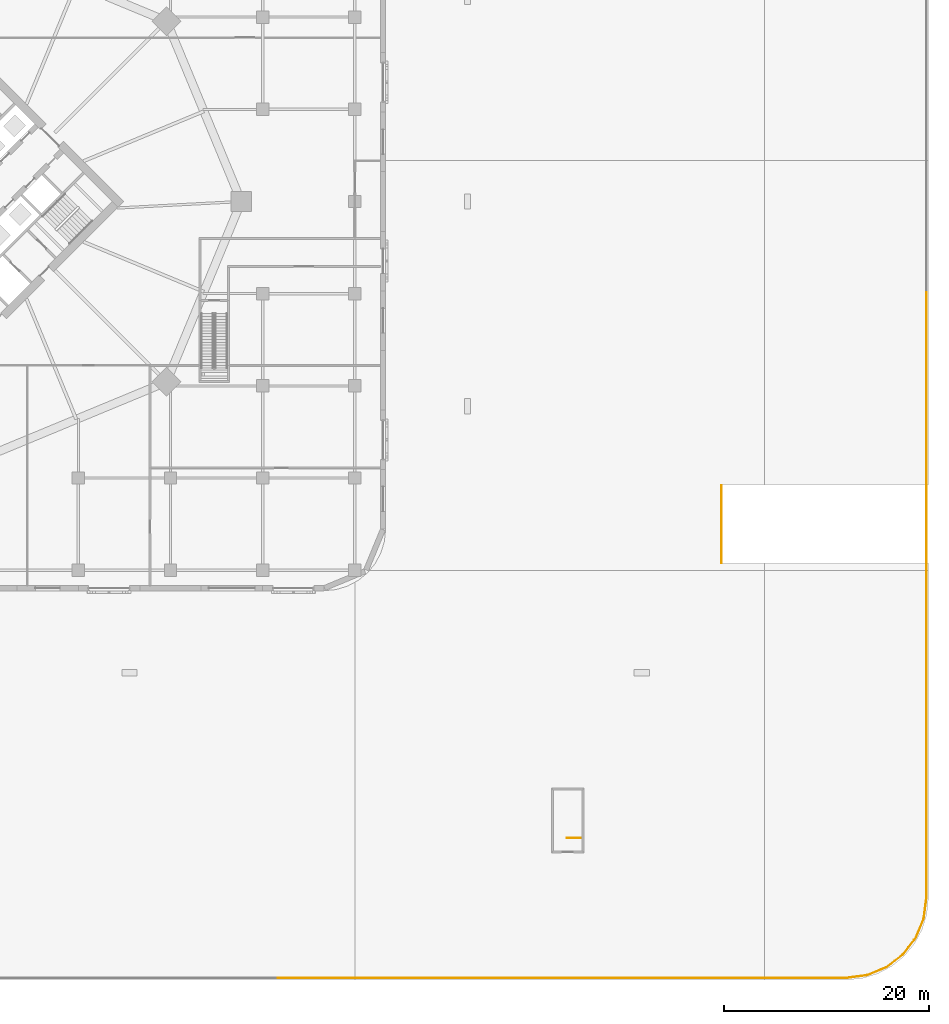
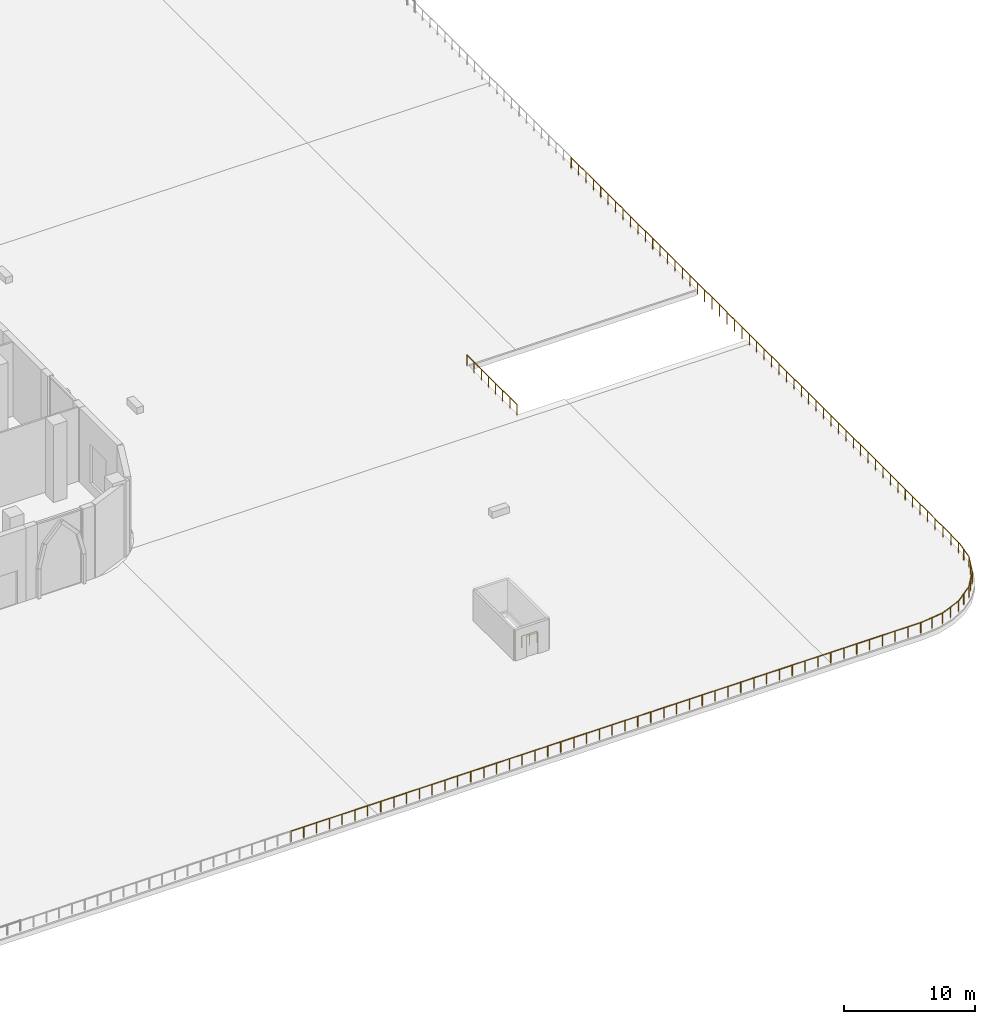
# One storey, part 41 of 48: 18 railings.
"""IFC4 building model written with IfcOpenShell, lengths in metres."""

from ifc_helpers import new_model, si_unit, direction, frame, origin, origin_2d, place, context, subcontext, project, spatial, circle, extrude, material, type_object, element, save


model = new_model("IFC4")

# Units and contexts
model_context = context("Model", 3, precision=1e-05, world=origin(), true_north=direction((0.0, 1.0)))
body_context = subcontext(model_context, "Body", "Model", "MODEL_VIEW")
ifc_project = project(units=[si_unit("LENGTHUNIT", "METRE"), si_unit("AREAUNIT", "SQUARE_METRE"), si_unit("VOLUMEUNIT", "CUBIC_METRE"), si_unit("PLANEANGLEUNIT", "RADIAN"), si_unit("MASSUNIT", "GRAM", prefix="KILO")], contexts=[model_context])

# Site, building, storey
site_placement = place(None, origin())
site = spatial("IfcSite", under=ifc_project, at=site_placement, CompositionType="ELEMENT")
building_placement = place(site_placement, origin())
building = spatial("IfcBuilding", under=site, at=building_placement, Name="Ogive Gate Towers", CompositionType="ELEMENT")
storey_placement = place(building_placement, origin())
storey = spatial("IfcBuildingStorey", under=building, at=storey_placement, Name="L00", CompositionType="ELEMENT", Elevation=0.0)

# Railings
ifc_material_1 = material(Name="Painted steel", Category="steel")
railing_type_1 = type_object("IfcRailingType", Name="Car park guard 1100", PredefinedType="GUARDRAIL", material=ifc_material_1)
railing_1_placement = place(storey_placement, frame((107.77490234375, -35.300048828125, 0.0)))
element("IfcRailing", 1, at=railing_1_placement, inside=storey, type_object=railing_type_1, Name="Ramp opening guard 01", PredefinedType="GUARDRAIL", context=body_context, shape_type="SweptSolid", body=[
    extrude(circle(Radius=0.02392578125, at=origin_2d()), frame((0.0, 0.0, 1.076171875), z_axis=(0.0, 1.0, 0.0), x_axis=(-1.0, 0.0, 0.0)), (0.0, 0.0, 1.0), 7.60009765625),
    extrude(circle(Radius=0.02099609375, at=origin_2d()), origin(), (0.0, 0.0, 1.0), 1.052001953125),
    extrude(circle(Radius=0.02099609375, at=origin_2d()), frame((0.0, 1.085693359375, 0.0)), (0.0, 0.0, 1.0), 1.052001953125),
    extrude(circle(Radius=0.02099609375, at=origin_2d()), frame((0.0, 2.17138671875, 0.0)), (0.0, 0.0, 1.0), 1.052001953125),
    extrude(circle(Radius=0.02099609375, at=origin_2d()), frame((0.0, 3.257080078125, 0.0)), (0.0, 0.0, 1.0), 1.052001953125),
    extrude(circle(Radius=0.02099609375, at=origin_2d()), frame((0.0, 4.343017578125, 0.0)), (0.0, 0.0, 1.0), 1.052001953125),
    extrude(circle(Radius=0.02099609375, at=origin_2d()), frame((0.0, 5.4287109375, 0.0)), (0.0, 0.0, 1.0), 1.052001953125),
    extrude(circle(Radius=0.02099609375, at=origin_2d()), frame((0.0, 6.514404296875, 0.0)), (0.0, 0.0, 1.0), 1.052001953125),
    extrude(circle(Radius=0.02099609375, at=origin_2d()), frame((0.0, 7.60009765625, 0.0)), (0.0, 0.0, 1.0), 1.052001953125),
])
railing_type_2 = type_object("IfcRailingType", Name="Car park stair guard 1100", PredefinedType="GUARDRAIL", material=ifc_material_1)
railing_2_placement = place(storey_placement, frame((94.050048828125, -62.14990234375, 0.0)))
element("IfcRailing", 2, at=railing_2_placement, inside=storey, type_object=railing_type_2, Name="L00 CS8 top well guard 1", PredefinedType="GUARDRAIL", context=body_context, shape_type="SweptSolid", body=[
    extrude(circle(Radius=0.02392578125, at=origin_2d()), frame((0.0, 0.0, 1.076171875), z_axis=(-1.0, 0.0, 0.0), x_axis=(0.0, -1.0, 0.0)), (0.0, 0.0, 1.0), 1.35009765625),
    extrude(circle(Radius=0.02099609375, at=origin_2d()), origin(), (0.0, 0.0, 1.0), 1.052001953125),
    extrude(circle(Radius=0.02099609375, at=origin_2d()), frame((-0.675048828125, 0.0, 0.0)), (0.0, 0.0, 1.0), 1.052001953125),
    extrude(circle(Radius=0.02099609375, at=origin_2d()), frame((-1.35009765625, 0.0, 0.0)), (0.0, 0.0, 1.0), 1.052001953125),
])
ifc_material_2 = material(Name="Stainless steel", Category="steel")
railing_type_3 = type_object("IfcRailingType", Name="Guard 1100", PredefinedType="GUARDRAIL", material=ifc_material_2)
railing_3_placement = place(storey_placement, frame((120.0, -75.800048828125, 0.0)))
element("IfcRailing", 3, at=railing_3_placement, inside=storey, type_object=railing_type_3, Name="Garden deck guard", PredefinedType="GUARDRAIL", context=body_context, shape_type="SweptSolid", body=[
    extrude(circle(Radius=0.02392578125, at=origin_2d()), frame((0.0, 0.0, 1.076171875), z_axis=(0.991439189385, 0.130569268018, 0.0), x_axis=(-0.130569268018, 0.991439189385, 0.0)), (0.0, 0.0, 1.0), 2.0361328125),
    extrude(circle(Radius=0.02392578125, at=origin_2d()), frame((2.018798828125, 0.265869140625, 1.076171875), z_axis=(0.923858991979, 0.382733017832, 0.0), x_axis=(-0.382733017832, 0.923858991979, 0.0)), (0.0, 0.0, 1.0), 2.0361328125),
    extrude(circle(Radius=0.02392578125, at=origin_2d()), frame((3.89990234375, 1.045166015625, 1.076171875), z_axis=(0.793376657722, 0.608731039936, 0.0), x_axis=(-0.608731039936, 0.793376657722, 0.0)), (0.0, 0.0, 1.0), 2.0361328125),
    extrude(circle(Radius=0.02392578125, at=origin_2d()), frame((5.515380859375, 2.28466796875, 1.076171875), z_axis=(0.60883089204, 0.793300034601, 0.0), x_axis=(-0.793300034601, 0.60883089204, 0.0)), (0.0, 0.0, 1.0), 1.770751953125),
    extrude(circle(Radius=0.02099609375, at=origin_2d()), origin(), (0.0, 0.0, 1.0), 1.052001953125),
    extrude(circle(Radius=0.02099609375, at=origin_2d()), frame((1.00927734375, 0.1328125, 0.0)), (0.0, 0.0, 1.0), 1.052001953125),
    extrude(circle(Radius=0.02099609375, at=origin_2d()), frame((2.018798828125, 0.265869140625, 0.0)), (0.0, 0.0, 1.0), 1.052001953125),
    extrude(circle(Radius=0.02099609375, at=origin_2d()), frame((2.95947265625, 0.655517578125, 0.0)), (0.0, 0.0, 1.0), 1.052001953125),
    extrude(circle(Radius=0.02099609375, at=origin_2d()), frame((3.89990234375, 1.045166015625, 0.0)), (0.0, 0.0, 1.0), 1.052001953125),
    extrude(circle(Radius=0.02099609375, at=origin_2d()), frame((4.70751953125, 1.6650390625, 0.0)), (0.0, 0.0, 1.0), 1.052001953125),
    extrude(circle(Radius=0.02099609375, at=origin_2d()), frame((5.515380859375, 2.28466796875, 0.0)), (0.0, 0.0, 1.0), 1.052001953125),
    extrude(circle(Radius=0.02099609375, at=origin_2d()), frame((6.054443359375, 2.987060546875, 0.0)), (0.0, 0.0, 1.0), 1.052001953125),
    extrude(circle(Radius=0.02099609375, at=origin_2d()), frame((6.593505859375, 3.689453125, 0.0)), (0.0, 0.0, 1.0), 1.052001953125),
])
railing_4_placement = place(storey_placement, frame((126.623779296875, -72.07080078125, 0.0)))
element("IfcRailing", 4, at=railing_4_placement, inside=storey, type_object=railing_type_3, Name="Garden deck guard", PredefinedType="GUARDRAIL", context=body_context, shape_type="SweptSolid", body=[
    extrude(circle(Radius=0.02392578125, at=origin_2d()), frame((0.0, 0.0, 1.076171875), z_axis=(0.608669472088, 0.793423892852, 0.0), x_axis=(-0.793423892852, 0.608669472088, 0.0)), (0.0, 0.0, 1.0), 0.21533203125),
    extrude(circle(Radius=0.02392578125, at=origin_2d()), frame((0.131103515625, 0.1708984375, 1.076171875), z_axis=(0.382733017832, 0.923858991979, 0.0), x_axis=(-0.923858991979, 0.382733017832, 0.0)), (0.0, 0.0, 1.0), 2.0361328125),
    extrude(circle(Radius=0.02392578125, at=origin_2d()), frame((0.910400390625, 2.052001953125, 1.076171875), z_axis=(0.130569268018, 0.991439189385, 0.0), x_axis=(-0.991439189385, 0.130569268018, 0.0)), (0.0, 0.0, 1.0), 2.0361328125),
    extrude(circle(Radius=0.02392578125, at=origin_2d()), frame((1.17626953125, 4.07080078125, 1.076171875), z_axis=(0.0, 1.0, 0.0), x_axis=(-1.0, 0.0, 0.0)), (0.0, 0.0, 1.0), 3.591552734375),
    extrude(circle(Radius=0.02099609375, at=origin_2d()), origin(), (0.0, 0.0, 1.0), 1.052001953125),
    extrude(circle(Radius=0.02099609375, at=origin_2d()), frame((0.131103515625, 0.1708984375, 0.0)), (0.0, 0.0, 1.0), 1.052001953125),
    extrude(circle(Radius=0.02099609375, at=origin_2d()), frame((0.520751953125, 1.111328125, 0.0)), (0.0, 0.0, 1.0), 1.052001953125),
    extrude(circle(Radius=0.02099609375, at=origin_2d()), frame((0.910400390625, 2.052001953125, 0.0)), (0.0, 0.0, 1.0), 1.052001953125),
    extrude(circle(Radius=0.02099609375, at=origin_2d()), frame((1.04345703125, 3.0615234375, 0.0)), (0.0, 0.0, 1.0), 1.052001953125),
    extrude(circle(Radius=0.02099609375, at=origin_2d()), frame((1.17626953125, 4.07080078125, 0.0)), (0.0, 0.0, 1.0), 1.052001953125),
    extrude(circle(Radius=0.02099609375, at=origin_2d()), frame((1.17626953125, 5.26806640625, 0.0)), (0.0, 0.0, 1.0), 1.052001953125),
    extrude(circle(Radius=0.02099609375, at=origin_2d()), frame((1.17626953125, 6.465087890625, 0.0)), (0.0, 0.0, 1.0), 1.052001953125),
    extrude(circle(Radius=0.02099609375, at=origin_2d()), frame((1.17626953125, 7.662353515625, 0.0)), (0.0, 0.0, 1.0), 1.052001953125),
])
for number, where, name in (
    (5, (127.800048828125, -64.3583984375, 0.0), "Garden deck guard"),
    (6, (127.800048828125, -56.428955078125, 0.0), "Garden deck guard"),
):
    element("IfcRailing", number, at=place(storey_placement, frame(where)), inside=storey, type_object=railing_type_3, Name=name, PredefinedType="GUARDRAIL", context=body_context, shape_type="SweptSolid", body=[
        extrude(circle(Radius=0.02392578125, at=origin_2d()), frame((0.0, 0.0, 1.076171875), z_axis=(0.0, 1.0, 0.0), x_axis=(-1.0, 0.0, 0.0)), (0.0, 0.0, 1.0), 7.87939453125),
        extrude(circle(Radius=0.02099609375, at=origin_2d()), origin(), (0.0, 0.0, 1.0), 1.052001953125),
        extrude(circle(Radius=0.02099609375, at=origin_2d()), frame((0.0, 1.125732421875, 0.0)), (0.0, 0.0, 1.0), 1.052001953125),
        extrude(circle(Radius=0.02099609375, at=origin_2d()), frame((0.0, 2.251220703125, 0.0)), (0.0, 0.0, 1.0), 1.052001953125),
        extrude(circle(Radius=0.02099609375, at=origin_2d()), frame((0.0, 3.376953125, 0.0)), (0.0, 0.0, 1.0), 1.052001953125),
        extrude(circle(Radius=0.02099609375, at=origin_2d()), frame((0.0, 4.50244140625, 0.0)), (0.0, 0.0, 1.0), 1.052001953125),
        extrude(circle(Radius=0.02099609375, at=origin_2d()), frame((0.0, 5.628173828125, 0.0)), (0.0, 0.0, 1.0), 1.052001953125),
        extrude(circle(Radius=0.02099609375, at=origin_2d()), frame((0.0, 6.753662109375, 0.0)), (0.0, 0.0, 1.0), 1.052001953125),
        extrude(circle(Radius=0.02099609375, at=origin_2d()), frame((0.0, 7.87939453125, 0.0)), (0.0, 0.0, 1.0), 1.052001953125),
    ])
railing_5_placement = place(storey_placement, frame((127.800048828125, -48.49951171875, 0.0)))
element("IfcRailing", 7, at=railing_5_placement, inside=storey, type_object=railing_type_3, Name="Garden deck guard", PredefinedType="GUARDRAIL", context=body_context, shape_type="SweptSolid", body=[
    extrude(circle(Radius=0.02392578125, at=origin_2d()), frame((0.0, 0.0, 1.076171875), z_axis=(0.0, 1.0, 0.0), x_axis=(-1.0, 0.0, 0.0)), (0.0, 0.0, 1.0), 7.879150390625),
    extrude(circle(Radius=0.02099609375, at=origin_2d()), origin(), (0.0, 0.0, 1.0), 1.052001953125),
    extrude(circle(Radius=0.02099609375, at=origin_2d()), frame((0.0, 1.12548828125, 0.0)), (0.0, 0.0, 1.0), 1.052001953125),
    extrude(circle(Radius=0.02099609375, at=origin_2d()), frame((0.0, 2.251220703125, 0.0)), (0.0, 0.0, 1.0), 1.052001953125),
    extrude(circle(Radius=0.02099609375, at=origin_2d()), frame((0.0, 3.376708984375, 0.0)), (0.0, 0.0, 1.0), 1.052001953125),
    extrude(circle(Radius=0.02099609375, at=origin_2d()), frame((0.0, 4.50244140625, 0.0)), (0.0, 0.0, 1.0), 1.052001953125),
    extrude(circle(Radius=0.02099609375, at=origin_2d()), frame((0.0, 5.6279296875, 0.0)), (0.0, 0.0, 1.0), 1.052001953125),
    extrude(circle(Radius=0.02099609375, at=origin_2d()), frame((0.0, 6.753662109375, 0.0)), (0.0, 0.0, 1.0), 1.052001953125),
    extrude(circle(Radius=0.02099609375, at=origin_2d()), frame((0.0, 7.879150390625, 0.0)), (0.0, 0.0, 1.0), 1.052001953125),
])
for number, where, name in (
    (8, (127.800048828125, -40.5703125, 0.0), "Garden deck guard"),
    (9, (127.800048828125, -32.640869140625, 0.0), "Garden deck guard"),
    (10, (127.800048828125, -24.71142578125, 0.0), "Garden deck guard"),
    (11, (127.800048828125, -16.781982421875, 0.0), "Garden deck guard"),
):
    element("IfcRailing", number, at=place(storey_placement, frame(where)), inside=storey, type_object=railing_type_3, Name=name, PredefinedType="GUARDRAIL", context=body_context, shape_type="SweptSolid", body=[
        extrude(circle(Radius=0.02392578125, at=origin_2d()), frame((0.0, 0.0, 1.076171875), z_axis=(0.0, 1.0, 0.0), x_axis=(-1.0, 0.0, 0.0)), (0.0, 0.0, 1.0), 7.87939453125),
        extrude(circle(Radius=0.02099609375, at=origin_2d()), origin(), (0.0, 0.0, 1.0), 1.052001953125),
        extrude(circle(Radius=0.02099609375, at=origin_2d()), frame((0.0, 1.125732421875, 0.0)), (0.0, 0.0, 1.0), 1.052001953125),
        extrude(circle(Radius=0.02099609375, at=origin_2d()), frame((0.0, 2.251220703125, 0.0)), (0.0, 0.0, 1.0), 1.052001953125),
        extrude(circle(Radius=0.02099609375, at=origin_2d()), frame((0.0, 3.376953125, 0.0)), (0.0, 0.0, 1.0), 1.052001953125),
        extrude(circle(Radius=0.02099609375, at=origin_2d()), frame((0.0, 4.50244140625, 0.0)), (0.0, 0.0, 1.0), 1.052001953125),
        extrude(circle(Radius=0.02099609375, at=origin_2d()), frame((0.0, 5.628173828125, 0.0)), (0.0, 0.0, 1.0), 1.052001953125),
        extrude(circle(Radius=0.02099609375, at=origin_2d()), frame((0.0, 6.753662109375, 0.0)), (0.0, 0.0, 1.0), 1.052001953125),
        extrude(circle(Radius=0.02099609375, at=origin_2d()), frame((0.0, 7.87939453125, 0.0)), (0.0, 0.0, 1.0), 1.052001953125),
    ])
for number, where, name in (
    (12, (64.494140625, -75.800048828125, 0.0), "Garden deck guard"),
    (13, (72.423583984375, -75.800048828125, 0.0), "Garden deck guard"),
    (14, (80.35302734375, -75.800048828125, 0.0), "Garden deck guard"),
    (15, (88.282470703125, -75.800048828125, 0.0), "Garden deck guard"),
    (16, (96.2119140625, -75.800048828125, 0.0), "Garden deck guard"),
    (17, (104.14111328125, -75.800048828125, 0.0), "Garden deck guard"),
    (18, (112.070556640625, -75.800048828125, 0.0), "Garden deck guard"),
):
    element("IfcRailing", number, at=place(storey_placement, frame(where)), inside=storey, type_object=railing_type_3, Name=name, PredefinedType="GUARDRAIL", context=body_context, shape_type="SweptSolid", body=[
        extrude(circle(Radius=0.02392578125, at=origin_2d()), frame((0.0, 0.0, 1.076171875), z_axis=(1.0, 0.0, 0.0), x_axis=(0.0, 1.0, 0.0)), (0.0, 0.0, 1.0), 7.87939453125),
        extrude(circle(Radius=0.02099609375, at=origin_2d()), origin(), (0.0, 0.0, 1.0), 1.052001953125),
        extrude(circle(Radius=0.02099609375, at=origin_2d()), frame((1.125732421875, 0.0, 0.0)), (0.0, 0.0, 1.0), 1.052001953125),
        extrude(circle(Radius=0.02099609375, at=origin_2d()), frame((2.251220703125, 0.0, 0.0)), (0.0, 0.0, 1.0), 1.052001953125),
        extrude(circle(Radius=0.02099609375, at=origin_2d()), frame((3.376953125, 0.0, 0.0)), (0.0, 0.0, 1.0), 1.052001953125),
        extrude(circle(Radius=0.02099609375, at=origin_2d()), frame((4.50244140625, 0.0, 0.0)), (0.0, 0.0, 1.0), 1.052001953125),
        extrude(circle(Radius=0.02099609375, at=origin_2d()), frame((5.628173828125, 0.0, 0.0)), (0.0, 0.0, 1.0), 1.052001953125),
        extrude(circle(Radius=0.02099609375, at=origin_2d()), frame((6.753662109375, 0.0, 0.0)), (0.0, 0.0, 1.0), 1.052001953125),
        extrude(circle(Radius=0.02099609375, at=origin_2d()), frame((7.87939453125, 0.0, 0.0)), (0.0, 0.0, 1.0), 1.052001953125),
    ])

save(model, "model.ifc")
